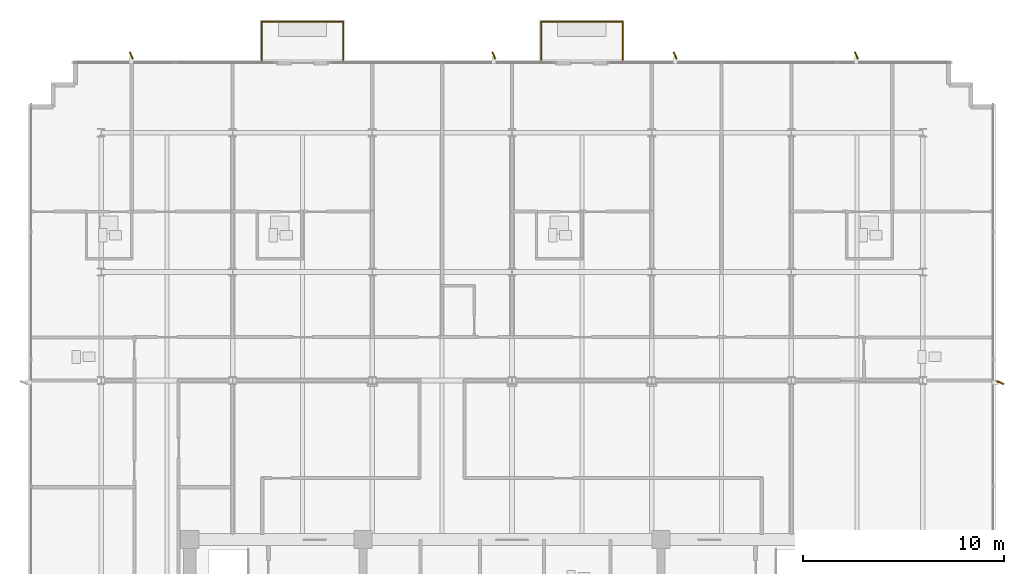
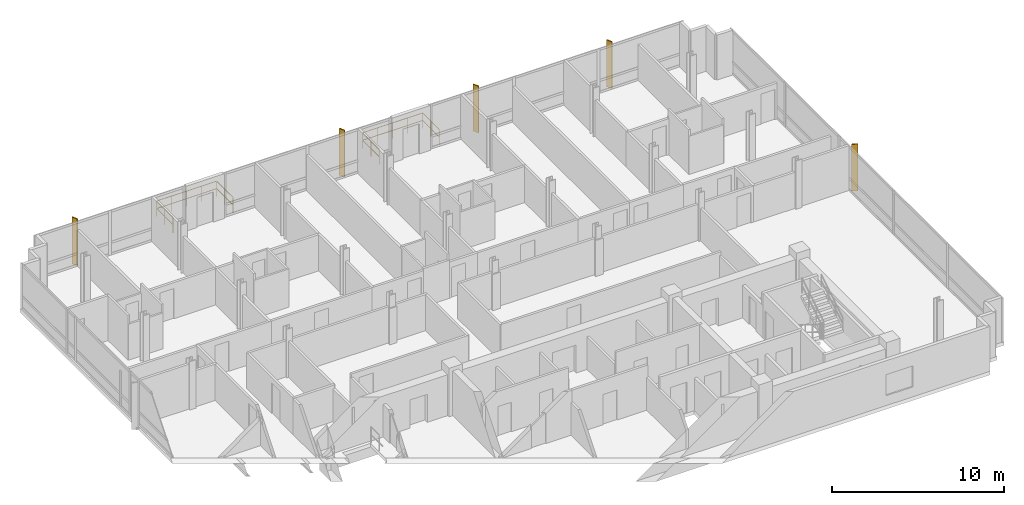
# One storey, part 14 of 15: 6 railings, 5 shading devices.
"""IFC4 building model written with IfcOpenShell, lengths in metres."""

from ifc_helpers import new_model, si_unit, direction, frame, origin, origin_2d, place, context, subcontext, project, spatial, rectangle, circle, extrude, material, layer, layer_set, type_object, element, save


model = new_model("IFC4")

# Units and contexts
model_context = context("Model", 3, precision=1e-05, world=origin(), true_north=direction((0.0, 1.0)))
body_context = subcontext(model_context, "Body", "Model", "MODEL_VIEW")
ifc_project = project(units=[si_unit("LENGTHUNIT", "METRE"), si_unit("AREAUNIT", "SQUARE_METRE"), si_unit("VOLUMEUNIT", "CUBIC_METRE"), si_unit("PLANEANGLEUNIT", "RADIAN"), si_unit("MASSUNIT", "GRAM", prefix="KILO")], contexts=[model_context])

# Site, building, storey
site_placement = place(None, origin())
site = spatial("IfcSite", under=ifc_project, at=site_placement, CompositionType="ELEMENT")
building_placement = place(site_placement, origin())
building = spatial("IfcBuilding", under=site, at=building_placement, Name="Solmavex Isthmus Hotel", CompositionType="ELEMENT")
storey_placement = place(building_placement, frame((0.0, 0.0, 259.199951171875)))
storey = spatial("IfcBuildingStorey", under=building, at=storey_placement, Name="L70", CompositionType="ELEMENT", Elevation=259.199951171875)

# Railings
ifc_material_1 = material(Name="Clear low-E laminated glass", Category="glass")
ifc_layer = layer(ifc_material_1, 0.070068359375)
ifc_layer_set = layer_set([ifc_layer], Name="Clear low-E laminated glass")
railing_type = type_object("IfcRailingType", Name="RAIL-GUARD-1100", PredefinedType="BALUSTRADE", material=ifc_layer_set)
railing_1_placement = place(storey_placement, frame((-12.424072265625, 21.300048828125, 0.0)))
element("IfcRailing", 1, at=railing_1_placement, inside=storey, type_object=railing_type, Name="Guardrail Balustrade L70-BAL1-01", PredefinedType="BALUSTRADE", context=body_context, shape_type="SweptSolid", body=[
    extrude(circle(Radius=0.02392578125, at=origin_2d()), frame((0.0, 0.0, 1.09619140625), z_axis=(0.0, 1.0, 0.0), x_axis=(-1.0, 0.0, 0.0)), (0.0, 0.0, 1.0), 1.919921875),
    extrude(circle(Radius=0.02392578125, at=origin_2d()), frame((0.0, 0.0, 0.56005859375), z_axis=(0.0, 1.0, 0.0), x_axis=(-1.0, 0.0, 0.0)), (0.0, 0.0, 1.0), 1.919921875),
    extrude(circle(Radius=0.02099609375, at=origin_2d()), origin(), (0.0, 0.0, 1.0), 1.072021484375),
    extrude(circle(Radius=0.02099609375, at=origin_2d()), frame((0.0, 0.9599609375, 0.0)), (0.0, 0.0, 1.0), 1.072021484375),
    extrude(circle(Radius=0.02099609375, at=origin_2d()), frame((0.0, 1.919921875, 0.0)), (0.0, 0.0, 1.0), 1.072021484375),
])
railing_2_placement = place(storey_placement, frame((-12.424072265625, 23.219970703125, 0.0)))
element("IfcRailing", 2, at=railing_2_placement, inside=storey, type_object=railing_type, Name="Guardrail Balustrade L70-BAL1-02", PredefinedType="BALUSTRADE", context=body_context, shape_type="SweptSolid", body=[
    extrude(circle(Radius=0.02392578125, at=origin_2d()), frame((0.0, 0.0, 1.09619140625), z_axis=(1.0, 0.0, 0.0), x_axis=(0.0, 1.0, 0.0)), (0.0, 0.0, 1.0), 4.0400390625),
    extrude(circle(Radius=0.02392578125, at=origin_2d()), frame((0.0, 0.0, 0.56005859375), z_axis=(1.0, 0.0, 0.0), x_axis=(0.0, 1.0, 0.0)), (0.0, 0.0, 1.0), 4.0400390625),
    extrude(circle(Radius=0.02099609375, at=origin_2d()), origin(), (0.0, 0.0, 1.0), 1.072021484375),
    extrude(circle(Radius=0.02099609375, at=origin_2d()), frame((1.010009765625, 0.0, 0.0)), (0.0, 0.0, 1.0), 1.072021484375),
    extrude(circle(Radius=0.02099609375, at=origin_2d()), frame((2.02001953125, 0.0, 0.0)), (0.0, 0.0, 1.0), 1.072021484375),
    extrude(circle(Radius=0.02099609375, at=origin_2d()), frame((3.030029296875, 0.0, 0.0)), (0.0, 0.0, 1.0), 1.072021484375),
    extrude(circle(Radius=0.02099609375, at=origin_2d()), frame((4.0400390625, 0.0, 0.0)), (0.0, 0.0, 1.0), 1.072021484375),
])
railing_3_placement = place(storey_placement, frame((-8.384033203125, 23.219970703125, 0.0)))
element("IfcRailing", 3, at=railing_3_placement, inside=storey, type_object=railing_type, Name="Guardrail Balustrade L70-BAL1-03", PredefinedType="BALUSTRADE", context=body_context, shape_type="SweptSolid", body=[
    extrude(circle(Radius=0.02392578125, at=origin_2d()), frame((0.0, 0.0, 1.09619140625), z_axis=(0.0, -1.0, 0.0), x_axis=(1.0, 0.0, 0.0)), (0.0, 0.0, 1.0), 1.919921875),
    extrude(circle(Radius=0.02392578125, at=origin_2d()), frame((0.0, 0.0, 0.56005859375), z_axis=(0.0, -1.0, 0.0), x_axis=(1.0, 0.0, 0.0)), (0.0, 0.0, 1.0), 1.919921875),
    extrude(circle(Radius=0.02099609375, at=origin_2d()), origin(), (0.0, 0.0, 1.0), 1.072021484375),
    extrude(circle(Radius=0.02099609375, at=origin_2d()), frame((0.0, -0.9599609375, 0.0)), (0.0, 0.0, 1.0), 1.072021484375),
    extrude(circle(Radius=0.02099609375, at=origin_2d()), frame((0.0, -1.919921875, 0.0)), (0.0, 0.0, 1.0), 1.072021484375),
])
railing_4_placement = place(storey_placement, frame((1.447998046875, 21.300048828125, 0.0)))
element("IfcRailing", 4, at=railing_4_placement, inside=storey, type_object=railing_type, Name="Guardrail Balustrade L70-BAL2-01", PredefinedType="BALUSTRADE", context=body_context, shape_type="SweptSolid", body=[
    extrude(circle(Radius=0.02392578125, at=origin_2d()), frame((0.0, 0.0, 1.09619140625), z_axis=(0.0, 1.0, 0.0), x_axis=(-1.0, 0.0, 0.0)), (0.0, 0.0, 1.0), 1.919921875),
    extrude(circle(Radius=0.02392578125, at=origin_2d()), frame((0.0, 0.0, 0.56005859375), z_axis=(0.0, 1.0, 0.0), x_axis=(-1.0, 0.0, 0.0)), (0.0, 0.0, 1.0), 1.919921875),
    extrude(circle(Radius=0.02099609375, at=origin_2d()), origin(), (0.0, 0.0, 1.0), 1.072021484375),
    extrude(circle(Radius=0.02099609375, at=origin_2d()), frame((0.0, 0.9599609375, 0.0)), (0.0, 0.0, 1.0), 1.072021484375),
    extrude(circle(Radius=0.02099609375, at=origin_2d()), frame((0.0, 1.919921875, 0.0)), (0.0, 0.0, 1.0), 1.072021484375),
])
railing_5_placement = place(storey_placement, frame((1.447998046875, 23.219970703125, 0.0)))
element("IfcRailing", 5, at=railing_5_placement, inside=storey, type_object=railing_type, Name="Guardrail Balustrade L70-BAL2-02", PredefinedType="BALUSTRADE", context=body_context, shape_type="SweptSolid", body=[
    extrude(circle(Radius=0.02392578125, at=origin_2d()), frame((0.0, 0.0, 1.09619140625), z_axis=(1.0, 0.0, 0.0), x_axis=(0.0, 1.0, 0.0)), (0.0, 0.0, 1.0), 4.0400390625),
    extrude(circle(Radius=0.02392578125, at=origin_2d()), frame((0.0, 0.0, 0.56005859375), z_axis=(1.0, 0.0, 0.0), x_axis=(0.0, 1.0, 0.0)), (0.0, 0.0, 1.0), 4.0400390625),
    extrude(circle(Radius=0.02099609375, at=origin_2d()), origin(), (0.0, 0.0, 1.0), 1.072021484375),
    extrude(circle(Radius=0.02099609375, at=origin_2d()), frame((1.010009765625, 0.0, 0.0)), (0.0, 0.0, 1.0), 1.072021484375),
    extrude(circle(Radius=0.02099609375, at=origin_2d()), frame((2.02001953125, 0.0, 0.0)), (0.0, 0.0, 1.0), 1.072021484375),
    extrude(circle(Radius=0.02099609375, at=origin_2d()), frame((3.030029296875, 0.0, 0.0)), (0.0, 0.0, 1.0), 1.072021484375),
    extrude(circle(Radius=0.02099609375, at=origin_2d()), frame((4.0400390625, 0.0, 0.0)), (0.0, 0.0, 1.0), 1.072021484375),
])
railing_6_placement = place(storey_placement, frame((5.488037109375, 23.219970703125, 0.0)))
element("IfcRailing", 6, at=railing_6_placement, inside=storey, type_object=railing_type, Name="Guardrail Balustrade L70-BAL2-03", PredefinedType="BALUSTRADE", context=body_context, shape_type="SweptSolid", body=[
    extrude(circle(Radius=0.02392578125, at=origin_2d()), frame((0.0, 0.0, 1.09619140625), z_axis=(0.0, -1.0, 0.0), x_axis=(1.0, 0.0, 0.0)), (0.0, 0.0, 1.0), 1.919921875),
    extrude(circle(Radius=0.02392578125, at=origin_2d()), frame((0.0, 0.0, 0.56005859375), z_axis=(0.0, -1.0, 0.0), x_axis=(1.0, 0.0, 0.0)), (0.0, 0.0, 1.0), 1.919921875),
    extrude(circle(Radius=0.02099609375, at=origin_2d()), origin(), (0.0, 0.0, 1.0), 1.072021484375),
    extrude(circle(Radius=0.02099609375, at=origin_2d()), frame((0.0, -0.9599609375, 0.0)), (0.0, 0.0, 1.0), 1.072021484375),
    extrude(circle(Radius=0.02099609375, at=origin_2d()), frame((0.0, -1.919921875, 0.0)), (0.0, 0.0, 1.0), 1.072021484375),
])

# Shading devices
ifc_material_2 = material(Name="Aluminium alloy 6063-T6", Category="aluminium")
shading_device_type = type_object("IfcShadingDeviceType", Name="SHD-FIN-CHAMP", PredefinedType="USERDEFINED", material=ifc_material_2)
for number, where, z_axis, x_axis, name in (
    (7, (-18.89990234375, 21.5400390625, -0.139892578125), (0.0, 0.0, 1.0), (-0.438371146789, 0.898794046299, 0.0), "Anodised Aluminium Solar Fin L70-N1"),
    (8, (-0.89990234375, 21.5400390625, -0.139892578125), (0.0, 0.0, 1.0), (-0.438371146789, 0.898794046299, 0.0), "Anodised Aluminium Solar Fin L70-N2"),
    (9, (8.10009765625, 21.5400390625, -0.139892578125), (0.0, 0.0, 1.0), (-0.438371146789, 0.898794046299, 0.0), "Anodised Aluminium Solar Fin L70-N3"),
    (10, (17.10009765625, 21.5400390625, -0.139892578125), (0.0, 0.0, 1.0), (-0.438371146789, 0.898794046299, 0.0), "Anodised Aluminium Solar Fin L70-N4"),
    (11, (24.239990234375, 5.300048828125, -0.139892578125), (0.0, 0.0, 1.0), (0.913545457643, -0.406736643076, 0.0), "Anodised Aluminium Solar Fin L70-E1"),
):
    element("IfcShadingDevice", number, at=place(storey_placement, frame(where, z_axis=z_axis, x_axis=x_axis)), inside=storey, type_object=shading_device_type, Name=name, ObjectType="SOLAR_FIN", PredefinedType="USERDEFINED", context=body_context, shape_type="SweptSolid", body=[
        extrude(rectangle(XDim=0.3798828125, YDim=0.070068359375, at=origin_2d()), origin(), (0.0, 0.0, 1.0), 3.330078125),
    ])

save(model, "model.ifc")
